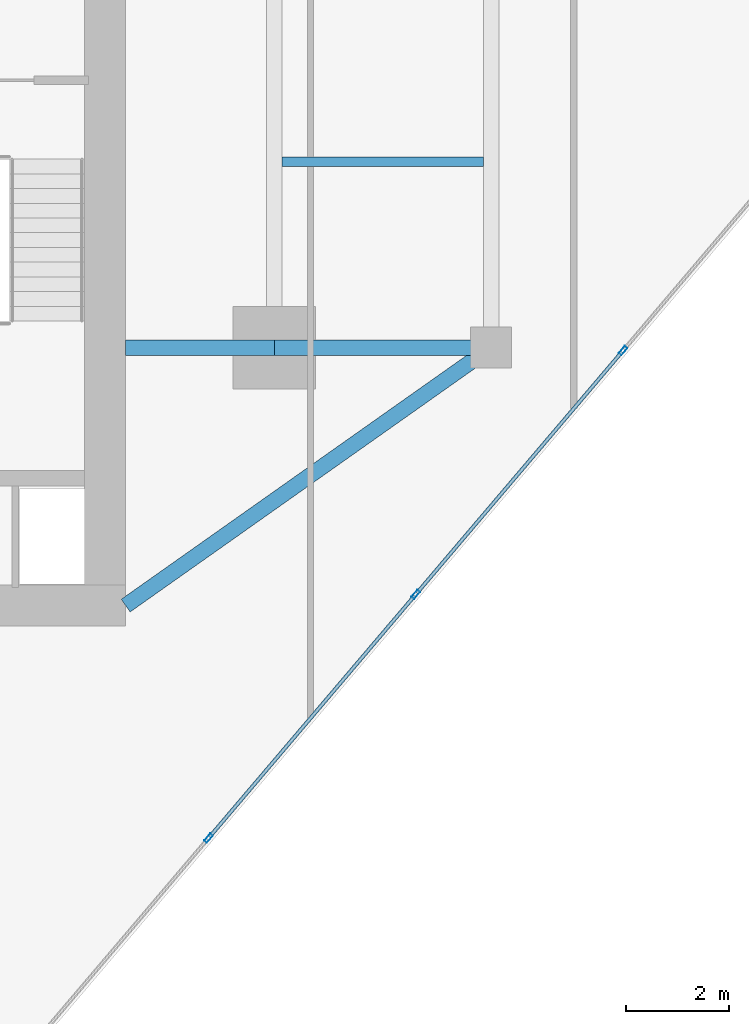
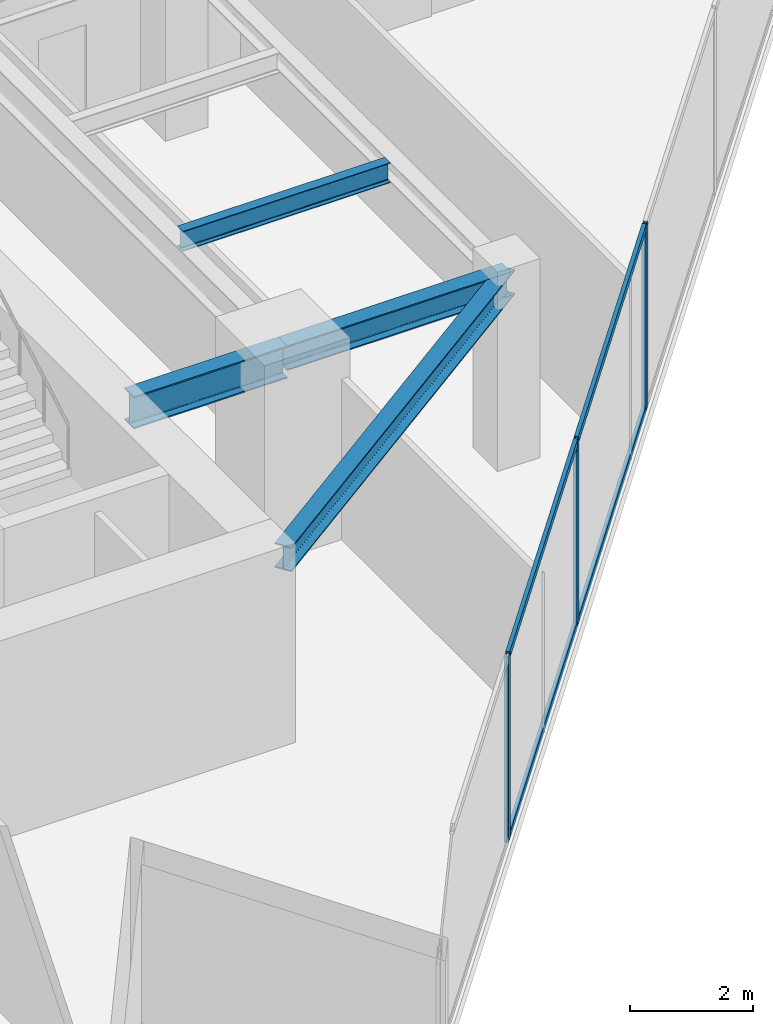
# One storey, part 10 of 25: 7 members, 4 beams, 1 element without a shape of its own.
"""IFC4 building model written with IfcOpenShell, lengths in metres."""

from ifc_helpers import new_model, si_unit, direction, frame, origin, origin_2d, place, context, subcontext, project, spatial, hollow_rectangle, i_section, extrude, source, transform, mapped, material, material_profile, profile_set, type_object, type_shapes, element, aggregate, save


model = new_model("IFC4")

# Units and contexts
model_context = context("Model", 3, precision=1e-05, world=origin(), true_north=direction((0.0, 1.0)))
body_context = subcontext(model_context, "Body", "Model", "MODEL_VIEW")
ifc_project = project(units=[si_unit("LENGTHUNIT", "METRE"), si_unit("AREAUNIT", "SQUARE_METRE"), si_unit("VOLUMEUNIT", "CUBIC_METRE"), si_unit("PLANEANGLEUNIT", "RADIAN"), si_unit("MASSUNIT", "GRAM", prefix="KILO")], contexts=[model_context])

# Site, building, storey
site_placement = place(None, origin())
site = spatial("IfcSite", under=ifc_project, at=site_placement, CompositionType="ELEMENT")
building_placement = place(site_placement, origin())
building = spatial("IfcBuilding", under=site, at=building_placement, Name="Krantzveldt Concourse Tower", CompositionType="ELEMENT")
storey_placement = place(building_placement, frame((0.0, 0.0, 215.199951171875)))
storey = spatial("IfcBuildingStorey", under=building, at=storey_placement, Name="L52", CompositionType="ELEMENT", Elevation=215.199951171875)

# Beams
ifc_material_1 = material(Name="Steel S355JR", Category="steel")
ifc_material_profile_1 = material_profile(ifc_material_1, i_section(OverallWidth=0.300048828125, OverallDepth=0.639892578125, WebThickness=0.013427734375, FlangeThickness=0.02587890625, FilletRadius=0.027099609375, at=origin_2d()), Name="Steel S355JR", Category="steel")
ifc_profile_set_1 = profile_set([ifc_material_profile_1], Name="Steel S355JR - HEA 650")
beam_type_1 = type_object("IfcBeamType", Name="BM-B-HEA650", PredefinedType="BEAM", material=ifc_profile_set_1)
shared_shape_1 = source(origin(), body_context, "Body", "SweptSolid", [
    extrude(i_section(OverallWidth=0.300048828125, OverallDepth=0.639892578125, WebThickness=0.013427734375, FlangeThickness=0.02587890625, FilletRadius=0.027099609375, at=origin_2d()), origin(), (0.0, 0.0, 1.0), 2.880126953125),
])
type_shapes(beam_type_1, [shared_shape_1])
beam_1_placement = place(storey_placement, frame((43.919921875, 15.89990234375, 3.35009765625), z_axis=(1.0, 0.0, 0.0), x_axis=(0.0, 1.0, 0.0)))
element("IfcBeam", 1, at=beam_1_placement, inside=storey, type_object=beam_type_1, Name="L52 Tower Girder BG-CE1", PredefinedType="BEAM", context=body_context, shape_type="MappedRepresentation", body=[
    mapped(shared_shape_1, transform((0.0, 0.0, 0.0), x_axis=(1.0, 0.0, 0.0), y_axis=(0.0, 1.0, 0.0), z_axis=(0.0, 0.0, 1.0), scale=1.0)),
])
ifc_material_profile_2 = material_profile(ifc_material_1, i_section(OverallWidth=0.300048828125, OverallDepth=0.489990234375, WebThickness=0.011962890625, FlangeThickness=0.02294921875, FilletRadius=0.027099609375, at=origin_2d()), Name="Steel S355JR", Category="steel")
ifc_profile_set_2 = profile_set([ifc_material_profile_2], Name="Steel S355JR - HEA 500")
beam_type_2 = type_object("IfcBeamType", Name="BM-B-HEA500", PredefinedType="BEAM", material=ifc_profile_set_2)
shared_shape_2 = source(origin(), body_context, "Body", "SweptSolid", [
    extrude(i_section(OverallWidth=0.300048828125, OverallDepth=0.489990234375, WebThickness=0.011962890625, FlangeThickness=0.02294921875, FilletRadius=0.027099609375, at=origin_2d()), origin(), (0.0, 0.0, 1.0), 4.199951171875),
])
beam_2_placement = place(storey_placement, frame((46.800048828125, 15.89990234375, 3.425048828125), z_axis=(1.0, 0.0, 0.0), x_axis=(0.0, 1.0, 0.0)))
element("IfcBeam", 2, at=beam_2_placement, inside=storey, type_object=beam_type_2, Name="L52 Tower Girder BR-RR1", PredefinedType="BEAM", context=body_context, shape_type="MappedRepresentation", body=[
    mapped(shared_shape_2, transform((0.0, 0.0, 0.0), x_axis=(1.0, 0.0, 0.0), y_axis=(0.0, 1.0, 0.0), z_axis=(0.0, 0.0, 1.0), scale=1.0)),
])
shared_shape_3 = source(origin(), body_context, "Body", "SweptSolid", [
    extrude(i_section(OverallWidth=0.300048828125, OverallDepth=0.489990234375, WebThickness=0.011962890625, FlangeThickness=0.02294921875, FilletRadius=0.027099609375, at=origin_2d()), origin(), (0.0, 0.0, 1.0), 8.667724609375),
])
type_shapes(beam_type_2, [shared_shape_2, shared_shape_3])
beam_3_placement = place(storey_placement, frame((51.0, 15.89990234375, 3.425048828125), z_axis=(-0.81684294656, -0.576860122261, 0.0), x_axis=(0.576860122261, -0.81684294656, 0.0)))
element("IfcBeam", 3, at=beam_3_placement, inside=storey, type_object=beam_type_2, Name="L52 Tower Girder BR-CSE", PredefinedType="BEAM", context=body_context, shape_type="MappedRepresentation", body=[
    mapped(shared_shape_3, transform((0.0, 0.0, 0.0), x_axis=(1.0, 0.0, 0.0), y_axis=(0.0, 1.0, 0.0), z_axis=(0.0, 0.0, 1.0), scale=1.0)),
])
ifc_material_profile_3 = material_profile(ifc_material_1, i_section(OverallWidth=0.179931640625, OverallDepth=0.39990234375, WebThickness=0.008544921875, FlangeThickness=0.013427734375, FilletRadius=0.02099609375, at=origin_2d()), Name="Steel S355JR", Category="steel")
ifc_profile_set_3 = profile_set([ifc_material_profile_3], Name="Steel S355JR - IPE 400")
beam_type_3 = type_object("IfcBeamType", Name="BM-J-IPE400", PredefinedType="JOIST", material=ifc_profile_set_3)
shared_shape_4 = source(origin(), body_context, "Body", "SweptSolid", [
    extrude(i_section(OverallWidth=0.179931640625, OverallDepth=0.39990234375, WebThickness=0.008544921875, FlangeThickness=0.013427734375, FilletRadius=0.02099609375, at=origin_2d()), origin(), (0.0, 0.0, 1.0), 3.900146484375),
])
type_shapes(beam_type_3, [shared_shape_4])
beam_4_placement = place(storey_placement, frame((46.949951171875, 19.5, 3.469970703125), z_axis=(1.0, 0.0, 0.0), x_axis=(0.0, 1.0, 0.0)))
element("IfcBeam", 4, at=beam_4_placement, inside=storey, type_object=beam_type_3, Name="L52 Secondary Floor Joist JE-1", PredefinedType="JOIST", context=body_context, shape_type="MappedRepresentation", body=[
    mapped(shared_shape_4, transform((0.0, 0.0, 0.0), x_axis=(1.0, 0.0, 0.0), y_axis=(0.0, 1.0, 0.0), z_axis=(0.0, 0.0, 1.0), scale=1.0)),
])

# Curtain wall, members
ifc_material_2 = material(Name="Anodised aluminium 6063-T6", Category="aluminium")
curtain_wall_type = type_object("IfcCurtainWallType", Name="CW3", PredefinedType="USERDEFINED", material=ifc_material_2)
curtain_wall_placement = place(storey_placement, origin())
curtain_wall = element("IfcCurtainWall", 5, at=curtain_wall_placement, inside=storey, type_object=curtain_wall_type, Name="CW-L52-F07", ObjectType="UNITISED CURTAIN WALL", PredefinedType="USERDEFINED")
ifc_material_profile_4 = material_profile(ifc_material_2, hollow_rectangle(XDim=0.070068359375, YDim=0.179931640625, WallThickness=0.0048828125, at=origin_2d()), Name="Anodised aluminium 6063-T6", Category="aluminium")
ifc_profile_set_4 = profile_set([ifc_material_profile_4], Name="Anodised aluminium 6063-T6 - ALU-MULL 180x70x5")
member_type_1 = type_object("IfcMemberType", Name="CW-MUL-180", PredefinedType="MULLION", material=ifc_profile_set_4)
shared_shape_5 = source(origin(), body_context, "Body", "SweptSolid", [
    extrude(hollow_rectangle(XDim=0.070068359375, YDim=0.179931640625, WallThickness=0.0048828125, at=origin_2d()), origin(), (0.0, 0.0, 1.0), 3.670166015625),
])
type_shapes(member_type_1, [shared_shape_5])
member_1_placement = place(storey_placement, frame((45.5244140625, 6.393798828125, 0.0), z_axis=(0.0, 0.0, 1.0), x_axis=(-0.761820912327, 0.647787694805, 0.0)))
member_1 = element("IfcMember", 6, at=member_1_placement, type_object=member_type_1, Name="CW-Z34 mullion 2", PredefinedType="MULLION", context=body_context, shape_type="MappedRepresentation", body=[
    mapped(shared_shape_5, transform((0.0, 0.0, 0.0), x_axis=(1.0, 0.0, 0.0), y_axis=(0.0, 1.0, 0.0), z_axis=(0.0, 0.0, 1.0), scale=1.0)),
])
member_2_placement = place(storey_placement, frame((49.54052734375, 11.116943359375, 0.0), z_axis=(0.0, 0.0, 1.0), x_axis=(-0.761820912327, 0.647787694805, 0.0)))
member_2 = element("IfcMember", 7, at=member_2_placement, type_object=member_type_1, Name="CW-Z34 mullion 3", PredefinedType="MULLION", context=body_context, shape_type="MappedRepresentation", body=[
    mapped(shared_shape_5, transform((0.0, 0.0, 0.0), x_axis=(1.0, 0.0, 0.0), y_axis=(0.0, 1.0, 0.0), z_axis=(0.0, 0.0, 1.0), scale=1.0)),
])
member_3_placement = place(storey_placement, frame((53.556884765625, 15.84033203125, 0.0), z_axis=(0.0, 0.0, 1.0), x_axis=(-0.761820912327, 0.647787694805, 0.0)))
member_3 = element("IfcMember", 8, at=member_3_placement, type_object=member_type_1, Name="CW-Z34 mullion 4", PredefinedType="MULLION", context=body_context, shape_type="MappedRepresentation", body=[
    mapped(shared_shape_5, transform((0.0, 0.0, 0.0), x_axis=(1.0, 0.0, 0.0), y_axis=(0.0, 1.0, 0.0), z_axis=(0.0, 0.0, 1.0), scale=1.0)),
])
ifc_material_profile_5 = material_profile(ifc_material_2, hollow_rectangle(XDim=0.070068359375, YDim=0.139892578125, WallThickness=0.0048828125, at=origin_2d()), Name="Anodised aluminium 6063-T6", Category="aluminium")
ifc_profile_set_5 = profile_set([ifc_material_profile_5], Name="Anodised aluminium 6063-T6 - ALU-TRAN 140x70x5")
member_type_2 = type_object("IfcMemberType", Name="CW-TRN-150", PredefinedType="USERDEFINED", material=ifc_profile_set_5)
shared_shape_6 = source(origin(), body_context, "Body", "SweptSolid", [
    extrude(hollow_rectangle(XDim=0.070068359375, YDim=0.139892578125, WallThickness=0.0048828125, at=origin_2d()), origin(), (0.0, 0.0, 1.0), 6.130126953125),
])
member_4_placement = place(storey_placement, frame((49.563232421875, 11.1435546875, 0.03515625), z_axis=(0.647772109575, 0.761834164406, 0.0), x_axis=(-0.761834164406, 0.647772109575, 0.0)))
member_4 = element("IfcMember", 9, at=member_4_placement, type_object=member_type_2, Name="CW-Z34 transom 3.1", ObjectType="TRANSOM", PredefinedType="USERDEFINED", context=body_context, shape_type="MappedRepresentation", body=[
    mapped(shared_shape_6, transform((0.0, 0.0, 0.0), x_axis=(1.0, 0.0, 0.0), y_axis=(0.0, 1.0, 0.0), z_axis=(0.0, 0.0, 1.0), scale=1.0)),
])
member_5_placement = place(storey_placement, frame((49.563232421875, 11.1435546875, 3.635009765625), z_axis=(0.647772109575, 0.761834164406, 0.0), x_axis=(-0.761834164406, 0.647772109575, 0.0)))
member_5 = element("IfcMember", 10, at=member_5_placement, type_object=member_type_2, Name="CW-Z34 transom 3.2", ObjectType="TRANSOM", PredefinedType="USERDEFINED", context=body_context, shape_type="MappedRepresentation", body=[
    mapped(shared_shape_6, transform((0.0, 0.0, 0.0), x_axis=(1.0, 0.0, 0.0), y_axis=(0.0, 1.0, 0.0), z_axis=(0.0, 0.0, 1.0), scale=1.0)),
])
shared_shape_7 = source(origin(), body_context, "Body", "SweptSolid", [
    extrude(hollow_rectangle(XDim=0.070068359375, YDim=0.139892578125, WallThickness=0.0048828125, at=origin_2d()), origin(), (0.0, 0.0, 1.0), 6.1298828125),
])
type_shapes(member_type_2, [shared_shape_6, shared_shape_7])
member_6_placement = place(storey_placement, frame((45.547119140625, 6.42041015625, 0.03515625), z_axis=(0.647791763952, 0.761817452252, 0.0), x_axis=(-0.761817452252, 0.647791763952, 0.0)))
member_6 = element("IfcMember", 11, at=member_6_placement, type_object=member_type_2, Name="CW-Z34 transom 2.1", ObjectType="TRANSOM", PredefinedType="USERDEFINED", context=body_context, shape_type="MappedRepresentation", body=[
    mapped(shared_shape_7, transform((0.0, 0.0, 0.0), x_axis=(1.0, 0.0, 0.0), y_axis=(0.0, 1.0, 0.0), z_axis=(0.0, 0.0, 1.0), scale=1.0)),
])
member_7_placement = place(storey_placement, frame((45.547119140625, 6.42041015625, 3.635009765625), z_axis=(0.647791763952, 0.761817452252, 0.0), x_axis=(-0.761817452252, 0.647791763952, 0.0)))
member_7 = element("IfcMember", 12, at=member_7_placement, type_object=member_type_2, Name="CW-Z34 transom 2.2", ObjectType="TRANSOM", PredefinedType="USERDEFINED", context=body_context, shape_type="MappedRepresentation", body=[
    mapped(shared_shape_7, transform((0.0, 0.0, 0.0), x_axis=(1.0, 0.0, 0.0), y_axis=(0.0, 1.0, 0.0), z_axis=(0.0, 0.0, 1.0), scale=1.0)),
])
aggregate(curtain_wall, [member_1, member_2, member_3, member_6, member_7, member_4, member_5])

save(model, "model.ifc")
